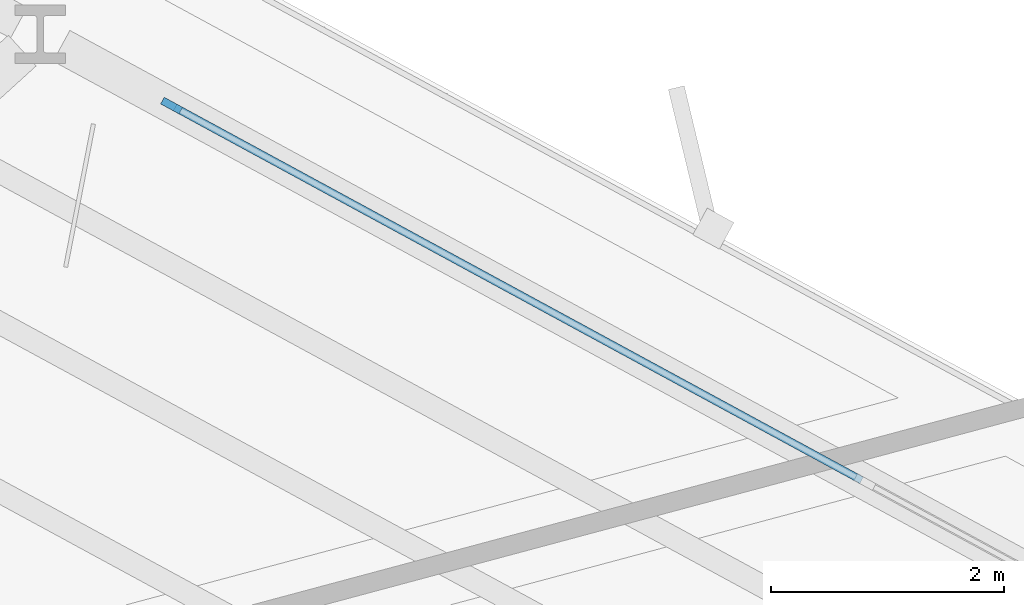
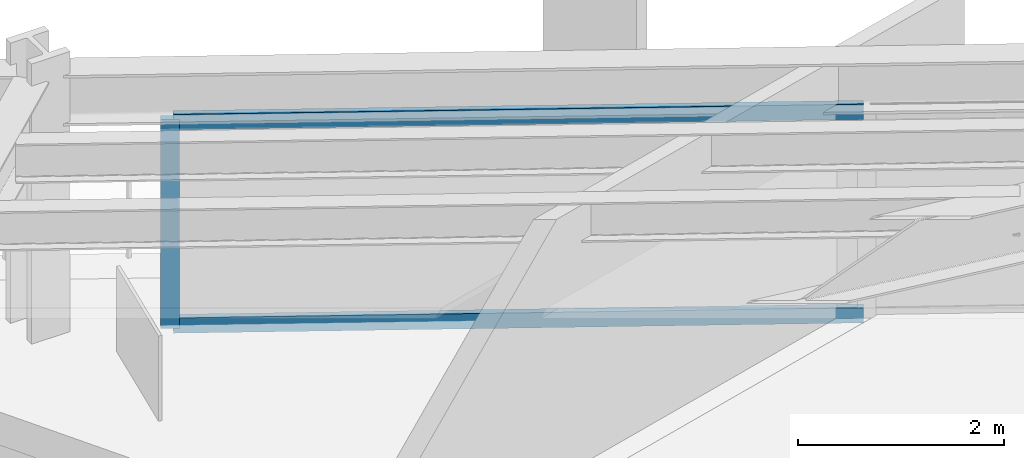
# One storey, part 6 of 14: 3 members, 1 element without a shape of its own.
"""IFC4 building model written with IfcOpenShell, lengths in metres."""

from ifc_helpers import new_model, si_unit, direction, frame, origin, origin_2d, place, context, subcontext, project, spatial, rectangle, extrude, material, layer, layer_set, material_profile, profile_set, type_object, element, aggregate, save


model = new_model("IFC4")

# Units and contexts
model_context = context("Model", 3, precision=1e-05, world=origin(), true_north=direction((0.0, 1.0)))
body_context = subcontext(model_context, "Body", "Model", "MODEL_VIEW")
ifc_project = project(units=[si_unit("LENGTHUNIT", "METRE"), si_unit("AREAUNIT", "SQUARE_METRE"), si_unit("VOLUMEUNIT", "CUBIC_METRE"), si_unit("PLANEANGLEUNIT", "RADIAN"), si_unit("MASSUNIT", "GRAM", prefix="KILO")], contexts=[model_context])

# Site, building, storey
site_placement = place(None, origin())
site = spatial("IfcSite", under=ifc_project, at=site_placement, CompositionType="ELEMENT")
building_placement = place(site_placement, origin())
building = spatial("IfcBuilding", under=site, at=building_placement, Name="Rocaltana Carrier Exchange", CompositionType="ELEMENT")
storey_placement = place(building_placement, frame((0.0, 0.0, 28.9599609375)))
storey = spatial("IfcBuildingStorey", under=building, at=storey_placement, Name="L09", CompositionType="ELEMENT", Elevation=28.9599609375)

# Curtain wall, members
ifc_material_1 = material(Name="Aluminium 6063-T6", Category="aluminium")
ifc_layer = layer(ifc_material_1, 0.179931640625)
ifc_layer_set = layer_set([ifc_layer], Name="Aluminium 6063-T6")
curtain_wall_type = type_object("IfcCurtainWallType", Name="Sandstone Spandrel Unitised Curtain Wall CW-01", PredefinedType="NOTDEFINED", material=ifc_layer_set)
curtain_wall_placement = place(storey_placement, origin())
curtain_wall = element("IfcCurtainWall", 1, at=curtain_wall_placement, inside=storey, type_object=curtain_wall_type, Name="L09 CW-01 Run CW-L09-F1S1", PredefinedType="NOTDEFINED")
ifc_material_2 = material(Name="Aluminium 6063-T6", Category="aluminium")
ifc_material_profile_1 = material_profile(ifc_material_2, rectangle(XDim=0.06494140625, YDim=0.179931640625, at=origin_2d()), Name="AL-65X180")
ifc_profile_set_1 = profile_set([ifc_material_profile_1], Name="Aluminium 6063-T6")
member_type_1 = type_object("IfcMemberType", Name="CW-01 Mullion AL-65X180", PredefinedType="MULLION", material=ifc_profile_set_1)
member_1_placement = place(storey_placement, frame((15.31884765625, 8.6552734375, 0.0), z_axis=(0.0, 0.0, 1.0), x_axis=(-0.477161473226, -0.878815639636, 0.0)))
member_1 = element("IfcMember", 2, at=member_1_placement, type_object=member_type_1, Name="CW-01 mullion 3", PredefinedType="MULLION", context=body_context, shape_type="SweptSolid", body=[
    extrude(rectangle(XDim=0.06494140625, YDim=0.179931640625, at=origin_2d()), origin(), (0.0, 0.0, 1.0), 2.47802734375),
])
ifc_material_3 = material(Name="Aluminium 6063-T6", Category="aluminium")
ifc_material_profile_2 = material_profile(ifc_material_3, rectangle(XDim=0.06494140625, YDim=0.179931640625, at=origin_2d()), Name="AL-65X180")
ifc_profile_set_2 = profile_set([ifc_material_profile_2], Name="Aluminium 6063-T6")
member_type_2 = type_object("IfcMemberType", Name="CW-01 Transom AL-65X180", PredefinedType="USERDEFINED", material=ifc_profile_set_2)
member_2_placement = place(storey_placement, frame((21.237548828125, 5.44140625, 0.032470703125), z_axis=(-0.87880717191, 0.477177068392, 0.0), x_axis=(-0.477177068392, -0.87880717191, 0.0)))
member_2 = element("IfcMember", 3, at=member_2_placement, type_object=member_type_2, Name="CW-01 transom 2.1", ObjectType="TRANSOM", PredefinedType="USERDEFINED", context=body_context, shape_type="SweptSolid", body=[
    extrude(rectangle(XDim=0.06494140625, YDim=0.179931640625, at=origin_2d()), origin(), (0.0, 0.0, 1.0), 6.702392578125),
])
member_3_placement = place(storey_placement, frame((21.237548828125, 5.44140625, 2.445556640625), z_axis=(-0.87880717191, 0.477177068392, 0.0), x_axis=(-0.477177068392, -0.87880717191, 0.0)))
member_3 = element("IfcMember", 4, at=member_3_placement, type_object=member_type_2, Name="CW-01 transom 2.2", ObjectType="TRANSOM", PredefinedType="USERDEFINED", context=body_context, shape_type="SweptSolid", body=[
    extrude(rectangle(XDim=0.06494140625, YDim=0.179931640625, at=origin_2d()), origin(), (0.0, 0.0, 1.0), 6.702392578125),
])
aggregate(curtain_wall, [member_1, member_2, member_3])

save(model, "model.ifc")
